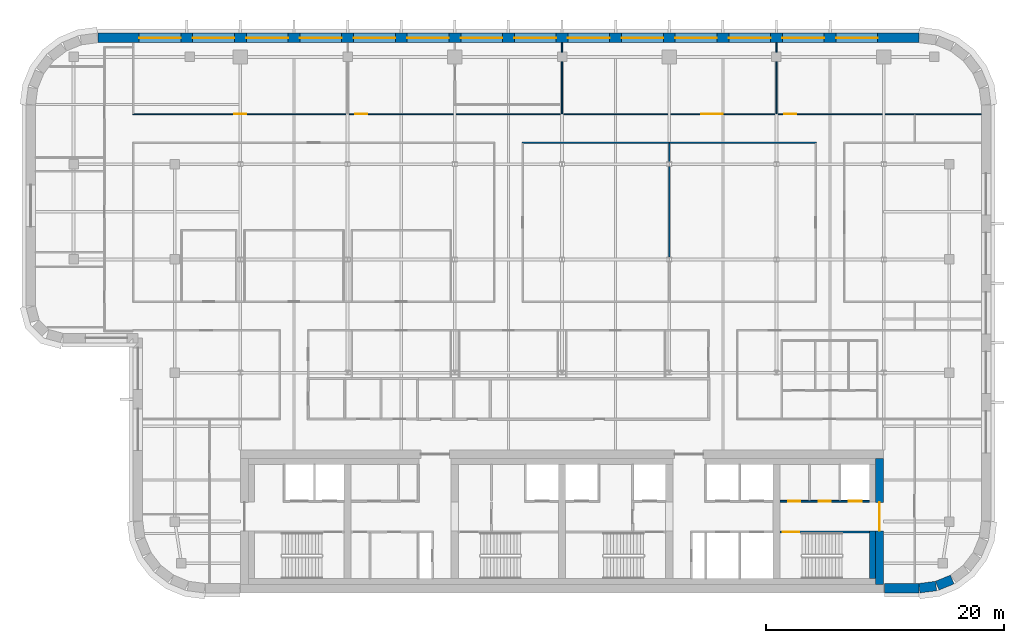
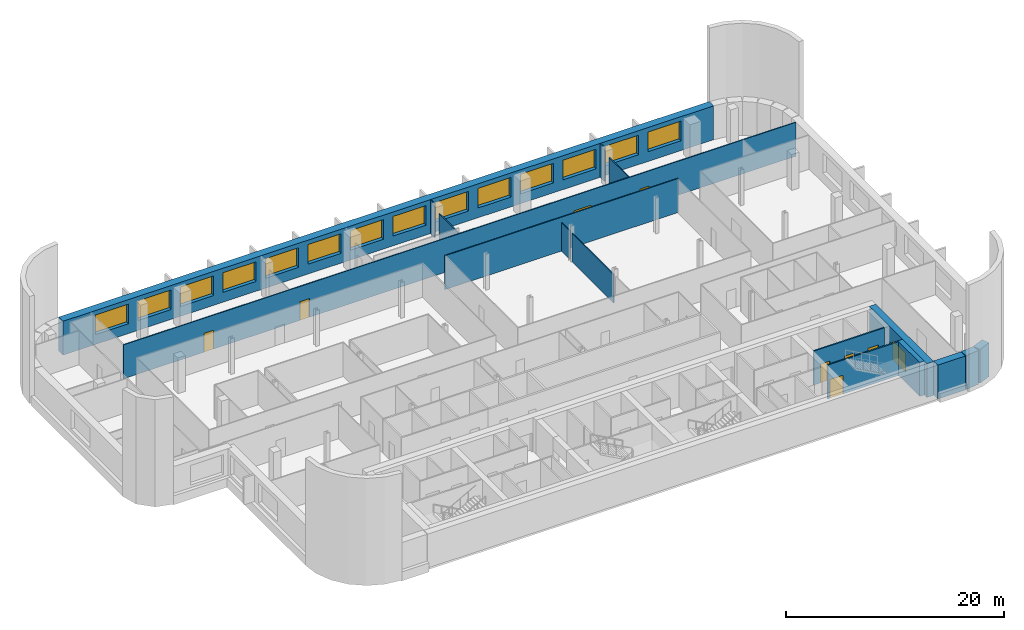
# One storey, part 11 of 17: 16 walls, 14 windows, 9 doors, 23 openings.
"""IFC4 building model written with IfcOpenShell, lengths in metres."""

from ifc_helpers import new_model, si_unit, direction, frame, frame_2d, origin, place, context, subcontext, project, spatial, rectangle, extrude, material, layer, layer_set, type_object, element, fill, save


model = new_model("IFC4")

# Units and contexts
model_context = context("Model", 3, precision=1e-05, world=origin(), true_north=direction((0.0, 1.0)))
body_context = subcontext(model_context, "Body", "Model", "MODEL_VIEW")
ifc_project = project(units=[si_unit("LENGTHUNIT", "METRE"), si_unit("AREAUNIT", "SQUARE_METRE"), si_unit("VOLUMEUNIT", "CUBIC_METRE"), si_unit("PLANEANGLEUNIT", "RADIAN"), si_unit("MASSUNIT", "GRAM", prefix="KILO")], contexts=[model_context])

# Site, building, storey
site_placement = place(None, origin())
site = spatial("IfcSite", under=ifc_project, at=site_placement, CompositionType="ELEMENT")
building_placement = place(site_placement, origin())
building = spatial("IfcBuilding", under=site, at=building_placement, Name="Zellij Exchange Tower", CompositionType="ELEMENT")
storey_placement = place(building_placement, frame((0.0, 0.0, 232.5)))
storey = spatial("IfcBuildingStorey", under=building, at=storey_placement, Name="L54", CompositionType="ELEMENT", Elevation=232.5)

# Wall
ifc_material_1 = material(Name="Concrete C30/37", Category="concrete")
ifc_layer_1 = layer(ifc_material_1, 0.5)
ifc_layer_set_1 = layer_set([ifc_layer_1], Name="Concrete C30/37")
wall_type_1 = type_object("IfcWallType", Name="CORE-LW 500 C30/37", PredefinedType="SHEAR", material=ifc_layer_set_1)
wall_1_placement = place(storey_placement, frame((26.050048828125, -12.800048828125, 0.0), z_axis=(0.0, 0.0, 1.0), x_axis=(0.0, 1.0, 0.0)))
element("IfcWall", 1, at=wall_1_placement, inside=storey, type_object=wall_type_1, Name="Core wall lining end e.0 L54", PredefinedType="SHEAR", context=body_context, shape_type="SweptSolid", body=[
    extrude(rectangle(XDim=4.0, YDim=0.5, at=frame_2d((2.0, 0.0))), origin(), (0.0, 0.0, 1.0), 3.800048828125),
])

# Wall, openings, doors
ifc_material_2 = material(Name="Gypsum shaft wall system")
ifc_layer_2 = layer(ifc_material_2, 0.14990234375)
ifc_layer_set_2 = layer_set([ifc_layer_2], Name="Gypsum shaft wall system")
wall_type_2 = type_object("IfcWallType", Name="CORE-PW 150 Lift shaft wall", PredefinedType="PARTITIONING", material=ifc_layer_set_2)
wall_2_placement = place(storey_placement, frame((18.300048828125, -6.300048828125, 0.0), z_axis=(0.0, 0.0, 1.0), x_axis=(1.0, 0.0, 0.0)))
wall_2 = element("IfcWall", 2, at=wall_2_placement, inside=storey, type_object=wall_type_2, Name="Lift shaft wall L54", PredefinedType="PARTITIONING", context=body_context, shape_type="SweptSolid", body=[
    extrude(rectangle(XDim=7.5, YDim=0.14990234375, at=frame_2d((3.75, 0.0))), origin(), (0.0, 0.0, 1.0), 3.800048828125),
])
opening_1_placement = place(wall_2_placement, frame((0.699951171875, 0.0, 0.0)))
opening_1 = element("IfcOpeningElement", 3, at=opening_1_placement, cuts=wall_2, Name="Opening CA-29.25", PredefinedType="OPENING", context=body_context, shape_type="SweptSolid", body=[
    extrude(rectangle(XDim=1.0, YDim=2.10009765625, at=frame_2d((0.5, 1.050048828125))), frame((0.0, 0.0869140625, 0.0), z_axis=(0.0, -1.0, 0.0), x_axis=(1.0, 0.0, 0.0)), (0.0, 0.0, 1.0), 0.173828125),
])
opening_2_placement = place(wall_2_placement, frame((3.25, 0.0, 0.0)))
opening_2 = element("IfcOpeningElement", 4, at=opening_2_placement, cuts=wall_2, Name="Opening CA-29.26", PredefinedType="OPENING", context=body_context, shape_type="SweptSolid", body=[
    extrude(rectangle(XDim=1.0, YDim=2.10009765625, at=frame_2d((0.5, 1.050048828125))), frame((0.0, 0.0869140625, 0.0), z_axis=(0.0, -1.0, 0.0), x_axis=(1.0, 0.0, 0.0)), (0.0, 0.0, 1.0), 0.173828125),
])
opening_3_placement = place(wall_2_placement, frame((5.75, 0.0, 0.0)))
opening_3 = element("IfcOpeningElement", 5, at=opening_3_placement, cuts=wall_2, Name="Opening CA-29.27", PredefinedType="OPENING", context=body_context, shape_type="SweptSolid", body=[
    extrude(rectangle(XDim=1.10009765625, YDim=2.10009765625, at=frame_2d((0.550048828125, 1.050048828125))), frame((0.0, 0.0869140625, 0.0), z_axis=(0.0, -1.0, 0.0), x_axis=(1.0, 0.0, 0.0)), (0.0, 0.0, 1.0), 0.173828125),
])
ifc_material_3 = material(Name="Hollow metal fire door")
door_type_1 = type_object("IfcDoorType", Name="CORE-D CD Core room door 1000x2100 1 HR", OperationType="NOTDEFINED", PredefinedType="DOOR", material=ifc_material_3)
door_1_placement = place(opening_1_placement, origin())
door_1 = element("IfcDoor", 6, at=door_1_placement, inside=storey, type_object=door_type_1, Name="Core room door CA-29.25", OperationType="SINGLE_SWING_LEFT", OverallHeight=2.10009765625, OverallWidth=1.0, PredefinedType="DOOR", context=body_context, shape_type="SweptSolid", body=[
    extrude(rectangle(XDim=1.0, YDim=2.10009765625, at=frame_2d((0.5, 1.050048828125))), frame((0.0, 0.02490234375, 0.0), z_axis=(0.0, -1.0, 0.0), x_axis=(1.0, 0.0, 0.0)), (0.0, 0.0, 1.0), 0.050048828125),
])
fill(opening_1, door_1)
door_type_2 = type_object("IfcDoorType", Name="CORE-D CDA Core room door 1000x2100 1.5 HR", OperationType="NOTDEFINED", PredefinedType="DOOR", material=ifc_material_3)
door_2_placement = place(opening_2_placement, origin())
door_2 = element("IfcDoor", 7, at=door_2_placement, inside=storey, type_object=door_type_2, Name="Core room door CA-29.26", OperationType="SINGLE_SWING_LEFT", OverallHeight=2.10009765625, OverallWidth=1.0, PredefinedType="DOOR", context=body_context, shape_type="SweptSolid", body=[
    extrude(rectangle(XDim=1.0, YDim=2.10009765625, at=frame_2d((0.5, 1.050048828125))), frame((0.0, 0.02490234375, 0.0), z_axis=(0.0, -1.0, 0.0), x_axis=(1.0, 0.0, 0.0)), (0.0, 0.0, 1.0), 0.050048828125),
])
fill(opening_2, door_2)
door_type_3 = type_object("IfcDoorType", Name="CORE-D LD Lift landing door 1100x2100 1.5 HR", OperationType="NOTDEFINED", PredefinedType="DOOR", material=ifc_material_3)
door_3_placement = place(opening_3_placement, origin())
door_3 = element("IfcDoor", 8, at=door_3_placement, inside=storey, type_object=door_type_3, Name="Lift landing door CA-29.27", OperationType="SLIDING_TO_LEFT", OverallHeight=2.10009765625, OverallWidth=1.10009765625, PredefinedType="DOOR", context=body_context, shape_type="SweptSolid", body=[
    extrude(rectangle(XDim=1.10009765625, YDim=2.10009765625, at=frame_2d((0.550048828125, 1.050048828125))), frame((0.0, 0.02490234375, 0.0), z_axis=(0.0, -1.0, 0.0), x_axis=(1.0, 0.0, 0.0)), (0.0, 0.0, 1.0), 0.050048828125),
])
fill(opening_3, door_3)

# Wall, opening, door
ifc_material_4 = material(Name="Concrete C50/60", Category="concrete")
ifc_layer_3 = layer(ifc_material_4, 0.699951171875)
ifc_layer_set_3 = layer_set([ifc_layer_3], Name="Concrete C50/60")
wall_type_3 = type_object("IfcWallType", Name="CORE-SW 700 C50/60", PredefinedType="SHEAR", material=ifc_layer_set_3)
wall_3_placement = place(storey_placement, frame((26.64990234375, -13.300048828125, 0.0), z_axis=(0.0, 0.0, 1.0), x_axis=(0.0, 1.0, 0.0)))
wall_3 = element("IfcWall", 9, at=wall_3_placement, inside=storey, type_object=wall_type_3, Name="Core shear wall end e L54", PredefinedType="SHEAR", context=body_context, shape_type="SweptSolid", body=[
    extrude(rectangle(XDim=10.60009765625, YDim=0.699951171875, at=frame_2d((5.300048828125, 0.0))), origin(), (0.0, 0.0, 1.0), 3.800048828125),
])
opening_4_placement = place(wall_3_placement, frame((4.511962890625, 0.0, 0.0)))
opening_4 = element("IfcOpeningElement", 10, at=opening_4_placement, cuts=wall_3, Name="Opening CA-29.28", PredefinedType="OPENING", context=body_context, shape_type="SweptSolid", body=[
    extrude(rectangle(XDim=2.39990234375, YDim=2.10009765625, at=frame_2d((1.199951171875, 1.050048828125))), frame((0.0, 0.36181640625, 0.0), z_axis=(0.0, -1.0, 0.0), x_axis=(1.0, 0.0, 0.0)), (0.0, 0.0, 1.0), 0.723876953125),
])
door_type_4 = type_object("IfcDoorType", Name="CORE-D CE Core entrance door 2400x2100 20 MIN", OperationType="NOTDEFINED", PredefinedType="DOOR", material=ifc_material_3)
door_4_placement = place(opening_4_placement, origin())
door_4 = element("IfcDoor", 11, at=door_4_placement, inside=storey, type_object=door_type_4, Name="Core entrance door CA-29.28", OperationType="DOUBLE_DOOR_SINGLE_SWING", OverallHeight=2.10009765625, OverallWidth=2.39990234375, PredefinedType="DOOR", context=body_context, shape_type="SweptSolid", body=[
    extrude(rectangle(XDim=2.39990234375, YDim=2.10009765625, at=frame_2d((1.199951171875, 1.050048828125))), frame((0.0, 0.02490234375, 0.0), z_axis=(0.0, -1.0, 0.0), x_axis=(1.0, 0.0, 0.0)), (0.0, 0.0, 1.0), 0.050048828125),
])
fill(opening_4, door_4)

ifc_layer_4 = layer(ifc_material_4, 0.14990234375)
ifc_layer_set_4 = layer_set([ifc_layer_4], Name="Concrete C50/60")
wall_type_4 = type_object("IfcWallType", Name="CORE-SWS 150 C50/60", PredefinedType="SHEAR", material=ifc_layer_set_4)
wall_4_placement = place(storey_placement, frame((18.300048828125, -8.875, 0.0), z_axis=(0.0, 0.0, 1.0), x_axis=(1.0, 0.0, 0.0)))
wall_4 = element("IfcWall", 12, at=wall_4_placement, inside=storey, type_object=wall_type_4, Name="Stair enclosure wall L54", PredefinedType="SHEAR", context=body_context, shape_type="SweptSolid", body=[
    extrude(rectangle(XDim=7.5, YDim=0.14990234375, at=frame_2d((3.75, 0.0))), origin(), (0.0, 0.0, 1.0), 3.800048828125),
])
opening_5_placement = place(wall_4_placement, frame((0.22509765625, 0.0, 0.0)))
opening_5 = element("IfcOpeningElement", 13, at=opening_5_placement, cuts=wall_4, Name="Opening CA-29.24", PredefinedType="OPENING", context=body_context, shape_type="SweptSolid", body=[
    extrude(rectangle(XDim=1.39990234375, YDim=2.10009765625, at=frame_2d((0.699951171875, 1.050048828125))), frame((0.0, 0.0869140625, 0.0), z_axis=(0.0, -1.0, 0.0), x_axis=(1.0, 0.0, 0.0)), (0.0, 0.0, 1.0), 0.173828125),
])
door_type_5 = type_object("IfcDoorType", Name="CORE-D SD Stair door 1400x2100 1.5 HR", OperationType="NOTDEFINED", PredefinedType="DOOR", material=ifc_material_3)
door_5_placement = place(opening_5_placement, origin())
door_5 = element("IfcDoor", 14, at=door_5_placement, inside=storey, type_object=door_type_5, Name="Stair door CA-29.24", OperationType="DOUBLE_DOOR_SINGLE_SWING", OverallHeight=2.10009765625, OverallWidth=1.39990234375, PredefinedType="DOOR", context=body_context, shape_type="SweptSolid", body=[
    extrude(rectangle(XDim=1.39990234375, YDim=2.10009765625, at=frame_2d((0.699951171875, 1.050048828125))), frame((0.0, 0.02490234375, 0.0), z_axis=(0.0, -1.0, 0.0), x_axis=(1.0, 0.0, 0.0)), (0.0, 0.0, 1.0), 0.050048828125),
])
fill(opening_5, door_5)

# Walls
ifc_material_5 = material(Name="Precast concrete C40/50", Category="concrete")
ifc_layer_5 = layer(ifc_material_5, 0.800048828125)
ifc_layer_set_5 = layer_set([ifc_layer_5], Name="Precast concrete C40/50")
wall_type_5 = type_object("IfcWallType", Name="ENV-EW1 Precast stone-piered wall 800", PredefinedType="SOLIDWALL", material=ifc_layer_set_5)
wall_5_placement = place(storey_placement, frame((27.050048828125, -13.60009765625, 0.0), z_axis=(0.0, 0.0, 1.0), x_axis=(1.0, 0.0, 0.0)))
element("IfcWall", 15, at=wall_5_placement, inside=storey, type_object=wall_type_5, Name="fac.L54.00b", PredefinedType="SOLIDWALL", context=body_context, shape_type="SweptSolid", body=[
    extrude(rectangle(XDim=2.8974609375, YDim=0.800048828125, at=frame_2d((1.44873046875, 0.0))), origin(), (0.0, 0.0, 1.0), 3.800048828125),
])
wall_6_placement = place(storey_placement, frame((29.999755859375, -13.5966796875, 0.0), z_axis=(0.0, 0.0, 1.0), x_axis=(0.99144603414, 0.130517283865, 0.0)))
element("IfcWall", 16, at=wall_6_placement, inside=storey, type_object=wall_type_5, Name="fac.L54.01", PredefinedType="SOLIDWALL", context=body_context, shape_type="SweptSolid", body=[
    extrude(rectangle(XDim=1.408447265625, YDim=0.800048828125, at=frame_2d((0.7041015625, 0.0))), origin(), (0.0, 0.0, 1.0), 3.800048828125),
])
wall_7_placement = place(storey_placement, frame((31.497314453125, -13.3857421875, 0.0), z_axis=(0.0, 0.0, 1.0), x_axis=(0.923847774587, 0.38276009378, 0.0)))
element("IfcWall", 17, at=wall_7_placement, inside=storey, type_object=wall_type_5, Name="fac.L54.02", PredefinedType="SOLIDWALL", context=body_context, shape_type="SweptSolid", body=[
    extrude(rectangle(XDim=1.35546875, YDim=0.800048828125, at=frame_2d((0.677734375, 0.0))), origin(), (0.0, 0.0, 1.0), 3.800048828125),
])

# Wall, openings, windows
wall_8_placement = place(storey_placement, frame((29.947509765625, 32.60009765625, 0.0), z_axis=(0.0, 0.0, 1.0), x_axis=(-1.0, 0.0, 0.0)))
wall_8 = element("IfcWall", 18, at=wall_8_placement, inside=storey, type_object=wall_type_5, Name="fac.L54.14", PredefinedType="SOLIDWALL", context=body_context, shape_type="SweptSolid", body=[
    extrude(rectangle(XDim=68.89501953125, YDim=0.800048828125, at=frame_2d((34.447509765625, 0.0))), origin(), (0.0, 0.0, 1.0), 3.800048828125),
])
opening_6_placement = place(wall_8_placement, frame((3.447509765625, 0.0, 1.10009765625)))
opening_6 = element("IfcOpeningElement", 19, at=opening_6_placement, cuts=wall_8, Name="Opening FZ4.06", PredefinedType="OPENING", context=body_context, shape_type="SweptSolid", body=[
    extrude(rectangle(XDim=3.5, YDim=2.199951171875, at=frame_2d((1.75, 1.10009765625))), frame((0.0, 0.412109375, 0.0), z_axis=(0.0, -1.0, 0.0), x_axis=(1.0, 0.0, 0.0)), (0.0, 0.0, 1.0), 0.823974609375),
])
opening_7_placement = place(wall_8_placement, frame((7.947509765625, 0.0, 1.10009765625)))
opening_7 = element("IfcOpeningElement", 20, at=opening_7_placement, cuts=wall_8, Name="Opening FZ4.07", PredefinedType="OPENING", context=body_context, shape_type="SweptSolid", body=[
    extrude(rectangle(XDim=3.5, YDim=2.199951171875, at=frame_2d((1.75, 1.10009765625))), frame((0.0, 0.412109375, 0.0), z_axis=(0.0, -1.0, 0.0), x_axis=(1.0, 0.0, 0.0)), (0.0, 0.0, 1.0), 0.823974609375),
])
opening_8_placement = place(wall_8_placement, frame((12.447509765625, 0.0, 1.10009765625)))
opening_8 = element("IfcOpeningElement", 21, at=opening_8_placement, cuts=wall_8, Name="Opening FZ4.08", PredefinedType="OPENING", context=body_context, shape_type="SweptSolid", body=[
    extrude(rectangle(XDim=3.5, YDim=2.199951171875, at=frame_2d((1.75, 1.10009765625))), frame((0.0, 0.412109375, 0.0), z_axis=(0.0, -1.0, 0.0), x_axis=(1.0, 0.0, 0.0)), (0.0, 0.0, 1.0), 0.823974609375),
])
opening_9_placement = place(wall_8_placement, frame((16.947509765625, 0.0, 1.10009765625)))
opening_9 = element("IfcOpeningElement", 22, at=opening_9_placement, cuts=wall_8, Name="Opening FZ4.09", PredefinedType="OPENING", context=body_context, shape_type="SweptSolid", body=[
    extrude(rectangle(XDim=3.5, YDim=2.199951171875, at=frame_2d((1.75, 1.10009765625))), frame((0.0, 0.412109375, 0.0), z_axis=(0.0, -1.0, 0.0), x_axis=(1.0, 0.0, 0.0)), (0.0, 0.0, 1.0), 0.823974609375),
])
opening_10_placement = place(wall_8_placement, frame((21.447509765625, 0.0, 1.10009765625)))
opening_10 = element("IfcOpeningElement", 23, at=opening_10_placement, cuts=wall_8, Name="Opening FZ4.10", PredefinedType="OPENING", context=body_context, shape_type="SweptSolid", body=[
    extrude(rectangle(XDim=3.5, YDim=2.199951171875, at=frame_2d((1.75, 1.10009765625))), frame((0.0, 0.412109375, 0.0), z_axis=(0.0, -1.0, 0.0), x_axis=(1.0, 0.0, 0.0)), (0.0, 0.0, 1.0), 0.823974609375),
])
opening_11_placement = place(wall_8_placement, frame((25.947509765625, 0.0, 1.10009765625)))
opening_11 = element("IfcOpeningElement", 24, at=opening_11_placement, cuts=wall_8, Name="Opening FZ4.11", PredefinedType="OPENING", context=body_context, shape_type="SweptSolid", body=[
    extrude(rectangle(XDim=3.5, YDim=2.199951171875, at=frame_2d((1.75, 1.10009765625))), frame((0.0, 0.412109375, 0.0), z_axis=(0.0, -1.0, 0.0), x_axis=(1.0, 0.0, 0.0)), (0.0, 0.0, 1.0), 0.823974609375),
])
opening_12_placement = place(wall_8_placement, frame((30.447509765625, 0.0, 1.10009765625)))
opening_12 = element("IfcOpeningElement", 25, at=opening_12_placement, cuts=wall_8, Name="Opening FZ4.12", PredefinedType="OPENING", context=body_context, shape_type="SweptSolid", body=[
    extrude(rectangle(XDim=3.5, YDim=2.199951171875, at=frame_2d((1.75, 1.10009765625))), frame((0.0, 0.412109375, 0.0), z_axis=(0.0, -1.0, 0.0), x_axis=(1.0, 0.0, 0.0)), (0.0, 0.0, 1.0), 0.823974609375),
])
opening_13_placement = place(wall_8_placement, frame((34.947509765625, 0.0, 1.10009765625)))
opening_13 = element("IfcOpeningElement", 26, at=opening_13_placement, cuts=wall_8, Name="Opening FZ4.13", PredefinedType="OPENING", context=body_context, shape_type="SweptSolid", body=[
    extrude(rectangle(XDim=3.5, YDim=2.199951171875, at=frame_2d((1.75, 1.10009765625))), frame((0.0, 0.412109375, 0.0), z_axis=(0.0, -1.0, 0.0), x_axis=(1.0, 0.0, 0.0)), (0.0, 0.0, 1.0), 0.823974609375),
])
opening_14_placement = place(wall_8_placement, frame((39.447509765625, 0.0, 1.10009765625)))
opening_14 = element("IfcOpeningElement", 27, at=opening_14_placement, cuts=wall_8, Name="Opening FZ4.14", PredefinedType="OPENING", context=body_context, shape_type="SweptSolid", body=[
    extrude(rectangle(XDim=3.5, YDim=2.199951171875, at=frame_2d((1.75, 1.10009765625))), frame((0.0, 0.412109375, 0.0), z_axis=(0.0, -1.0, 0.0), x_axis=(1.0, 0.0, 0.0)), (0.0, 0.0, 1.0), 0.823974609375),
])
opening_15_placement = place(wall_8_placement, frame((43.947509765625, 0.0, 1.10009765625)))
opening_15 = element("IfcOpeningElement", 28, at=opening_15_placement, cuts=wall_8, Name="Opening FZ4.15", PredefinedType="OPENING", context=body_context, shape_type="SweptSolid", body=[
    extrude(rectangle(XDim=3.5, YDim=2.199951171875, at=frame_2d((1.75, 1.10009765625))), frame((0.0, 0.412109375, 0.0), z_axis=(0.0, -1.0, 0.0), x_axis=(1.0, 0.0, 0.0)), (0.0, 0.0, 1.0), 0.823974609375),
])
opening_16_placement = place(wall_8_placement, frame((48.447509765625, 0.0, 1.10009765625)))
opening_16 = element("IfcOpeningElement", 29, at=opening_16_placement, cuts=wall_8, Name="Opening FZ4.16", PredefinedType="OPENING", context=body_context, shape_type="SweptSolid", body=[
    extrude(rectangle(XDim=3.5, YDim=2.199951171875, at=frame_2d((1.75, 1.10009765625))), frame((0.0, 0.412109375, 0.0), z_axis=(0.0, -1.0, 0.0), x_axis=(1.0, 0.0, 0.0)), (0.0, 0.0, 1.0), 0.823974609375),
])
opening_17_placement = place(wall_8_placement, frame((52.947509765625, 0.0, 1.10009765625)))
opening_17 = element("IfcOpeningElement", 30, at=opening_17_placement, cuts=wall_8, Name="Opening FZ4.17", PredefinedType="OPENING", context=body_context, shape_type="SweptSolid", body=[
    extrude(rectangle(XDim=3.5, YDim=2.199951171875, at=frame_2d((1.75, 1.10009765625))), frame((0.0, 0.412109375, 0.0), z_axis=(0.0, -1.0, 0.0), x_axis=(1.0, 0.0, 0.0)), (0.0, 0.0, 1.0), 0.823974609375),
])
opening_18_placement = place(wall_8_placement, frame((57.447509765625, 0.0, 1.10009765625)))
opening_18 = element("IfcOpeningElement", 31, at=opening_18_placement, cuts=wall_8, Name="Opening FZ4.18", PredefinedType="OPENING", context=body_context, shape_type="SweptSolid", body=[
    extrude(rectangle(XDim=3.5, YDim=2.199951171875, at=frame_2d((1.75, 1.10009765625))), frame((0.0, 0.412109375, 0.0), z_axis=(0.0, -1.0, 0.0), x_axis=(1.0, 0.0, 0.0)), (0.0, 0.0, 1.0), 0.823974609375),
])
opening_19_placement = place(wall_8_placement, frame((61.947509765625, 0.0, 1.10009765625)))
opening_19 = element("IfcOpeningElement", 32, at=opening_19_placement, cuts=wall_8, Name="Opening FZ4.19", PredefinedType="OPENING", context=body_context, shape_type="SweptSolid", body=[
    extrude(rectangle(XDim=3.5, YDim=2.199951171875, at=frame_2d((1.75, 1.10009765625))), frame((0.0, 0.412109375, 0.0), z_axis=(0.0, -1.0, 0.0), x_axis=(1.0, 0.0, 0.0)), (0.0, 0.0, 1.0), 0.823974609375),
])
ifc_material_6 = material(Name="Aluminium frame with insulating glass", Category="aluminium")
window_type = type_object("IfcWindowType", Name="ENV-W7 Window 3500x2200", PartitioningType="SINGLE_PANEL", PredefinedType="WINDOW", material=ifc_material_6)
window_1_placement = place(opening_6_placement, origin())
window_1 = element("IfcWindow", 33, at=window_1_placement, inside=storey, type_object=window_type, Name="Window FZ4.06", OverallHeight=2.199951171875, OverallWidth=3.5, PartitioningType="SINGLE_PANEL", PredefinedType="WINDOW", context=body_context, shape_type="SweptSolid", body=[
    extrude(rectangle(XDim=3.5, YDim=2.199951171875, at=frame_2d((1.75, 1.10009765625))), frame((0.0, 0.030029296875, 0.0), z_axis=(0.0, -1.0, 0.0), x_axis=(1.0, 0.0, 0.0)), (0.0, 0.0, 1.0), 0.06005859375),
])
fill(opening_6, window_1)
window_2_placement = place(opening_7_placement, origin())
window_2 = element("IfcWindow", 34, at=window_2_placement, inside=storey, type_object=window_type, Name="Window FZ4.07", OverallHeight=2.199951171875, OverallWidth=3.5, PartitioningType="SINGLE_PANEL", PredefinedType="WINDOW", context=body_context, shape_type="SweptSolid", body=[
    extrude(rectangle(XDim=3.5, YDim=2.199951171875, at=frame_2d((1.75, 1.10009765625))), frame((0.0, 0.030029296875, 0.0), z_axis=(0.0, -1.0, 0.0), x_axis=(1.0, 0.0, 0.0)), (0.0, 0.0, 1.0), 0.06005859375),
])
fill(opening_7, window_2)
window_3_placement = place(opening_8_placement, origin())
window_3 = element("IfcWindow", 35, at=window_3_placement, inside=storey, type_object=window_type, Name="Window FZ4.08", OverallHeight=2.199951171875, OverallWidth=3.5, PartitioningType="SINGLE_PANEL", PredefinedType="WINDOW", context=body_context, shape_type="SweptSolid", body=[
    extrude(rectangle(XDim=3.5, YDim=2.199951171875, at=frame_2d((1.75, 1.10009765625))), frame((0.0, 0.030029296875, 0.0), z_axis=(0.0, -1.0, 0.0), x_axis=(1.0, 0.0, 0.0)), (0.0, 0.0, 1.0), 0.06005859375),
])
fill(opening_8, window_3)
window_4_placement = place(opening_9_placement, origin())
window_4 = element("IfcWindow", 36, at=window_4_placement, inside=storey, type_object=window_type, Name="Window FZ4.09", OverallHeight=2.199951171875, OverallWidth=3.5, PartitioningType="SINGLE_PANEL", PredefinedType="WINDOW", context=body_context, shape_type="SweptSolid", body=[
    extrude(rectangle(XDim=3.5, YDim=2.199951171875, at=frame_2d((1.75, 1.10009765625))), frame((0.0, 0.030029296875, 0.0), z_axis=(0.0, -1.0, 0.0), x_axis=(1.0, 0.0, 0.0)), (0.0, 0.0, 1.0), 0.06005859375),
])
fill(opening_9, window_4)
window_5_placement = place(opening_10_placement, origin())
window_5 = element("IfcWindow", 37, at=window_5_placement, inside=storey, type_object=window_type, Name="Window FZ4.10", OverallHeight=2.199951171875, OverallWidth=3.5, PartitioningType="SINGLE_PANEL", PredefinedType="WINDOW", context=body_context, shape_type="SweptSolid", body=[
    extrude(rectangle(XDim=3.5, YDim=2.199951171875, at=frame_2d((1.75, 1.10009765625))), frame((0.0, 0.030029296875, 0.0), z_axis=(0.0, -1.0, 0.0), x_axis=(1.0, 0.0, 0.0)), (0.0, 0.0, 1.0), 0.06005859375),
])
fill(opening_10, window_5)
window_6_placement = place(opening_11_placement, origin())
window_6 = element("IfcWindow", 38, at=window_6_placement, inside=storey, type_object=window_type, Name="Window FZ4.11", OverallHeight=2.199951171875, OverallWidth=3.5, PartitioningType="SINGLE_PANEL", PredefinedType="WINDOW", context=body_context, shape_type="SweptSolid", body=[
    extrude(rectangle(XDim=3.5, YDim=2.199951171875, at=frame_2d((1.75, 1.10009765625))), frame((0.0, 0.030029296875, 0.0), z_axis=(0.0, -1.0, 0.0), x_axis=(1.0, 0.0, 0.0)), (0.0, 0.0, 1.0), 0.06005859375),
])
fill(opening_11, window_6)
window_7_placement = place(opening_12_placement, origin())
window_7 = element("IfcWindow", 39, at=window_7_placement, inside=storey, type_object=window_type, Name="Window FZ4.12", OverallHeight=2.199951171875, OverallWidth=3.5, PartitioningType="SINGLE_PANEL", PredefinedType="WINDOW", context=body_context, shape_type="SweptSolid", body=[
    extrude(rectangle(XDim=3.5, YDim=2.199951171875, at=frame_2d((1.75, 1.10009765625))), frame((0.0, 0.030029296875, 0.0), z_axis=(0.0, -1.0, 0.0), x_axis=(1.0, 0.0, 0.0)), (0.0, 0.0, 1.0), 0.06005859375),
])
fill(opening_12, window_7)
window_8_placement = place(opening_13_placement, origin())
window_8 = element("IfcWindow", 40, at=window_8_placement, inside=storey, type_object=window_type, Name="Window FZ4.13", OverallHeight=2.199951171875, OverallWidth=3.5, PartitioningType="SINGLE_PANEL", PredefinedType="WINDOW", context=body_context, shape_type="SweptSolid", body=[
    extrude(rectangle(XDim=3.5, YDim=2.199951171875, at=frame_2d((1.75, 1.10009765625))), frame((0.0, 0.030029296875, 0.0), z_axis=(0.0, -1.0, 0.0), x_axis=(1.0, 0.0, 0.0)), (0.0, 0.0, 1.0), 0.06005859375),
])
fill(opening_13, window_8)
window_9_placement = place(opening_14_placement, origin())
window_9 = element("IfcWindow", 41, at=window_9_placement, inside=storey, type_object=window_type, Name="Window FZ4.14", OverallHeight=2.199951171875, OverallWidth=3.5, PartitioningType="SINGLE_PANEL", PredefinedType="WINDOW", context=body_context, shape_type="SweptSolid", body=[
    extrude(rectangle(XDim=3.5, YDim=2.199951171875, at=frame_2d((1.75, 1.10009765625))), frame((0.0, 0.030029296875, 0.0), z_axis=(0.0, -1.0, 0.0), x_axis=(1.0, 0.0, 0.0)), (0.0, 0.0, 1.0), 0.06005859375),
])
fill(opening_14, window_9)
window_10_placement = place(opening_15_placement, origin())
window_10 = element("IfcWindow", 42, at=window_10_placement, inside=storey, type_object=window_type, Name="Window FZ4.15", OverallHeight=2.199951171875, OverallWidth=3.5, PartitioningType="SINGLE_PANEL", PredefinedType="WINDOW", context=body_context, shape_type="SweptSolid", body=[
    extrude(rectangle(XDim=3.5, YDim=2.199951171875, at=frame_2d((1.75, 1.10009765625))), frame((0.0, 0.030029296875, 0.0), z_axis=(0.0, -1.0, 0.0), x_axis=(1.0, 0.0, 0.0)), (0.0, 0.0, 1.0), 0.06005859375),
])
fill(opening_15, window_10)
window_11_placement = place(opening_16_placement, origin())
window_11 = element("IfcWindow", 43, at=window_11_placement, inside=storey, type_object=window_type, Name="Window FZ4.16", OverallHeight=2.199951171875, OverallWidth=3.5, PartitioningType="SINGLE_PANEL", PredefinedType="WINDOW", context=body_context, shape_type="SweptSolid", body=[
    extrude(rectangle(XDim=3.5, YDim=2.199951171875, at=frame_2d((1.75, 1.10009765625))), frame((0.0, 0.030029296875, 0.0), z_axis=(0.0, -1.0, 0.0), x_axis=(1.0, 0.0, 0.0)), (0.0, 0.0, 1.0), 0.06005859375),
])
fill(opening_16, window_11)
window_12_placement = place(opening_17_placement, origin())
window_12 = element("IfcWindow", 44, at=window_12_placement, inside=storey, type_object=window_type, Name="Window FZ4.17", OverallHeight=2.199951171875, OverallWidth=3.5, PartitioningType="SINGLE_PANEL", PredefinedType="WINDOW", context=body_context, shape_type="SweptSolid", body=[
    extrude(rectangle(XDim=3.5, YDim=2.199951171875, at=frame_2d((1.75, 1.10009765625))), frame((0.0, 0.030029296875, 0.0), z_axis=(0.0, -1.0, 0.0), x_axis=(1.0, 0.0, 0.0)), (0.0, 0.0, 1.0), 0.06005859375),
])
fill(opening_17, window_12)
window_13_placement = place(opening_18_placement, origin())
window_13 = element("IfcWindow", 45, at=window_13_placement, inside=storey, type_object=window_type, Name="Window FZ4.18", OverallHeight=2.199951171875, OverallWidth=3.5, PartitioningType="SINGLE_PANEL", PredefinedType="WINDOW", context=body_context, shape_type="SweptSolid", body=[
    extrude(rectangle(XDim=3.5, YDim=2.199951171875, at=frame_2d((1.75, 1.10009765625))), frame((0.0, 0.030029296875, 0.0), z_axis=(0.0, -1.0, 0.0), x_axis=(1.0, 0.0, 0.0)), (0.0, 0.0, 1.0), 0.06005859375),
])
fill(opening_18, window_13)
window_14_placement = place(opening_19_placement, origin())
window_14 = element("IfcWindow", 46, at=window_14_placement, inside=storey, type_object=window_type, Name="Window FZ4.19", OverallHeight=2.199951171875, OverallWidth=3.5, PartitioningType="SINGLE_PANEL", PredefinedType="WINDOW", context=body_context, shape_type="SweptSolid", body=[
    extrude(rectangle(XDim=3.5, YDim=2.199951171875, at=frame_2d((1.75, 1.10009765625))), frame((0.0, 0.030029296875, 0.0), z_axis=(0.0, -1.0, 0.0), x_axis=(1.0, 0.0, 0.0)), (0.0, 0.0, 1.0), 0.06005859375),
])
fill(opening_19, window_14)

# Walls
ifc_material_7 = material(Name="Gypsum board partition on steel studs", Category="steel")
ifc_layer_6 = layer(ifc_material_7, 0.10009765625)
ifc_layer_set_6 = layer_set([ifc_layer_6], Name="Gypsum board partition on steel studs")
wall_type_6 = type_object("IfcWallType", Name="FIT-PARTITION-100", PredefinedType="PARTITIONING", material=ifc_layer_set_6)
wall_9_placement = place(storey_placement, frame((9.0, 14.193115234375, 0.0), z_axis=(0.0, 0.0, 1.0), x_axis=(0.0, 1.0, 0.0)))
element("IfcWall", 47, at=wall_9_placement, inside=storey, type_object=wall_type_6, Name="FIT-PARTITION-100 052", PredefinedType="PARTITIONING", context=body_context, shape_type="SweptSolid", body=[
    extrude(rectangle(XDim=7.61376953125, YDim=0.10009765625, at=frame_2d((3.806884765625, 0.0))), origin(), (0.0, 0.0, 1.0), 3.19287109375),
])
wall_10_placement = place(storey_placement, frame((9.0, 22.193115234375, 0.0), z_axis=(0.0, 0.0, 1.0), x_axis=(0.0, 1.0, 0.0)))
element("IfcWall", 48, at=wall_10_placement, inside=storey, type_object=wall_type_6, Name="FIT-PARTITION-100 053", PredefinedType="PARTITIONING", context=body_context, shape_type="SweptSolid", body=[
    extrude(rectangle(XDim=1.556884765625, YDim=0.10009765625, at=frame_2d((0.7783203125, 0.0))), origin(), (0.0, 0.0, 1.0), 3.19287109375),
])
wall_11_placement = place(storey_placement, frame((-3.35009765625, 23.800048828125, 0.0), z_axis=(0.0, 0.0, 1.0), x_axis=(1.0, 0.0, 0.0)))
element("IfcWall", 49, at=wall_11_placement, inside=storey, type_object=wall_type_6, Name="FIT-PARTITION-100 065", PredefinedType="PARTITIONING", context=body_context, shape_type="SweptSolid", body=[
    extrude(rectangle(XDim=24.7001953125, YDim=0.10009765625, at=frame_2d((12.35009765625, 0.0))), origin(), (0.0, 0.0, 1.0), 3.800048828125),
])

# Wall, openings, doors
wall_12_placement = place(storey_placement, frame((-36.050048828125, 26.199951171875, 0.0), z_axis=(0.0, 0.0, 1.0), x_axis=(1.0, 0.0, 0.0)))
wall_12 = element("IfcWall", 50, at=wall_12_placement, inside=storey, type_object=wall_type_6, Name="FIT-PARTITION-100 068", PredefinedType="PARTITIONING", context=body_context, shape_type="SweptSolid", body=[
    extrude(rectangle(XDim=71.25, YDim=0.10009765625, at=frame_2d((35.625, 0.0))), origin(), (0.0, 0.0, 1.0), 3.800048828125),
])
opening_20_placement = place(wall_12_placement, frame((8.550048828125, 0.0, 0.0)))
opening_20 = element("IfcOpeningElement", 51, at=opening_20_placement, cuts=wall_12, Name="Opening O4B.29", PredefinedType="OPENING", context=body_context, shape_type="SweptSolid", body=[
    extrude(rectangle(XDim=1.0, YDim=2.10009765625, at=frame_2d((0.5, 1.050048828125))), frame((0.0, 0.06201171875, 0.0), z_axis=(0.0, -1.0, 0.0), x_axis=(1.0, 0.0, 0.0)), (0.0, 0.0, 1.0), 0.1240234375),
])
opening_21_placement = place(wall_12_placement, frame((18.699951171875, 0.0, 0.0)))
opening_21 = element("IfcOpeningElement", 52, at=opening_21_placement, cuts=wall_12, Name="Opening O4B.30", PredefinedType="OPENING", context=body_context, shape_type="SweptSolid", body=[
    extrude(rectangle(XDim=1.0, YDim=2.10009765625, at=frame_2d((0.5, 1.050048828125))), frame((0.0, 0.06201171875, 0.0), z_axis=(0.0, -1.0, 0.0), x_axis=(1.0, 0.0, 0.0)), (0.0, 0.0, 1.0), 0.1240234375),
])
opening_22_placement = place(wall_12_placement, frame((47.75, 0.0, 0.0)))
opening_22 = element("IfcOpeningElement", 53, at=opening_22_placement, cuts=wall_12, Name="Opening O4B.31", PredefinedType="OPENING", context=body_context, shape_type="SweptSolid", body=[
    extrude(rectangle(XDim=1.800048828125, YDim=2.10009765625, at=frame_2d((0.89990234375, 1.050048828125))), frame((0.0, 0.06201171875, 0.0), z_axis=(0.0, -1.0, 0.0), x_axis=(1.0, 0.0, 0.0)), (0.0, 0.0, 1.0), 0.1240234375),
])
opening_23_placement = place(wall_12_placement, frame((54.699951171875, 0.0, 0.0)))
opening_23 = element("IfcOpeningElement", 54, at=opening_23_placement, cuts=wall_12, Name="Opening O4B.32", PredefinedType="OPENING", context=body_context, shape_type="SweptSolid", body=[
    extrude(rectangle(XDim=1.0, YDim=2.10009765625, at=frame_2d((0.5, 1.050048828125))), frame((0.0, 0.06201171875, 0.0), z_axis=(0.0, -1.0, 0.0), x_axis=(1.0, 0.0, 0.0)), (0.0, 0.0, 1.0), 0.1240234375),
])
ifc_material_8 = material(Name="Timber door set", Category="wood")
door_type_6 = type_object("IfcDoorType", Name="FIT-D2-WIDE-1000X2100", OperationType="SINGLE_SWING_LEFT", PredefinedType="DOOR", material=ifc_material_8)
door_6_placement = place(opening_20_placement, origin())
door_6 = element("IfcDoor", 55, at=door_6_placement, inside=storey, type_object=door_type_6, Name="Door O4B.29", OperationType="SINGLE_SWING_RIGHT", OverallHeight=2.10009765625, OverallWidth=1.0, PredefinedType="DOOR", context=body_context, shape_type="SweptSolid", body=[
    extrude(rectangle(XDim=1.0, YDim=2.10009765625, at=frame_2d((0.5, 1.050048828125))), frame((0.0, 0.02490234375, 0.0), z_axis=(0.0, -1.0, 0.0), x_axis=(1.0, 0.0, 0.0)), (0.0, 0.0, 1.0), 0.050048828125),
])
fill(opening_20, door_6)
door_7_placement = place(opening_21_placement, origin())
door_7 = element("IfcDoor", 56, at=door_7_placement, inside=storey, type_object=door_type_6, Name="Door O4B.30", OperationType="SINGLE_SWING_RIGHT", OverallHeight=2.10009765625, OverallWidth=1.0, PredefinedType="DOOR", context=body_context, shape_type="SweptSolid", body=[
    extrude(rectangle(XDim=1.0, YDim=2.10009765625, at=frame_2d((0.5, 1.050048828125))), frame((0.0, 0.02490234375, 0.0), z_axis=(0.0, -1.0, 0.0), x_axis=(1.0, 0.0, 0.0)), (0.0, 0.0, 1.0), 0.050048828125),
])
fill(opening_21, door_7)
door_8_placement = place(opening_23_placement, origin())
door_8 = element("IfcDoor", 57, at=door_8_placement, inside=storey, type_object=door_type_6, Name="Door O4B.32", OperationType="SINGLE_SWING_RIGHT", OverallHeight=2.10009765625, OverallWidth=1.0, PredefinedType="DOOR", context=body_context, shape_type="SweptSolid", body=[
    extrude(rectangle(XDim=1.0, YDim=2.10009765625, at=frame_2d((0.5, 1.050048828125))), frame((0.0, 0.02490234375, 0.0), z_axis=(0.0, -1.0, 0.0), x_axis=(1.0, 0.0, 0.0)), (0.0, 0.0, 1.0), 0.050048828125),
])
fill(opening_23, door_8)
door_type_7 = type_object("IfcDoorType", Name="FIT-D3-DOUBLE-1800X2100", OperationType="DOUBLE_DOOR_SINGLE_SWING", PredefinedType="DOOR", material=ifc_material_8)
door_9_placement = place(opening_22_placement, origin())
door_9 = element("IfcDoor", 58, at=door_9_placement, inside=storey, type_object=door_type_7, Name="Door O4B.31", OperationType="DOUBLE_DOOR_SINGLE_SWING", OverallHeight=2.10009765625, OverallWidth=1.800048828125, PredefinedType="DOOR", context=body_context, shape_type="SweptSolid", body=[
    extrude(rectangle(XDim=1.800048828125, YDim=2.10009765625, at=frame_2d((0.89990234375, 1.050048828125))), frame((0.0, 0.02490234375, 0.0), z_axis=(0.0, -1.0, 0.0), x_axis=(1.0, 0.0, 0.0)), (0.0, 0.0, 1.0), 0.050048828125),
])
fill(opening_22, door_9)

# Walls
wall_13_placement = place(storey_placement, frame((0.0, 26.25, 0.0), z_axis=(0.0, 0.0, 1.0), x_axis=(0.0, 1.0, 0.0)))
element("IfcWall", 59, at=wall_13_placement, inside=storey, type_object=wall_type_6, Name="FIT-PARTITION-100 072", PredefinedType="PARTITIONING", context=body_context, shape_type="SweptSolid", body=[
    extrude(rectangle(XDim=4.35009765625, YDim=0.10009765625, at=frame_2d((2.175048828125, 0.0))), origin(), (0.0, 0.0, 1.0), 3.19287109375),
])
wall_14_placement = place(storey_placement, frame((0.0, 31.39990234375, 0.0), z_axis=(0.0, 0.0, 1.0), x_axis=(0.0, 1.0, 0.0)))
element("IfcWall", 60, at=wall_14_placement, inside=storey, type_object=wall_type_6, Name="FIT-PARTITION-100 073", PredefinedType="PARTITIONING", context=body_context, shape_type="SweptSolid", body=[
    extrude(rectangle(XDim=0.800048828125, YDim=0.10009765625, at=frame_2d((0.39990234375, 0.0))), origin(), (0.0, 0.0, 1.0), 3.800048828125),
])
wall_15_placement = place(storey_placement, frame((18.0, 26.25, 0.0), z_axis=(0.0, 0.0, 1.0), x_axis=(0.0, 1.0, 0.0)))
element("IfcWall", 61, at=wall_15_placement, inside=storey, type_object=wall_type_6, Name="FIT-PARTITION-100 074", PredefinedType="PARTITIONING", context=body_context, shape_type="SweptSolid", body=[
    extrude(rectangle(XDim=4.35009765625, YDim=0.10009765625, at=frame_2d((2.175048828125, 0.0))), origin(), (0.0, 0.0, 1.0), 3.19287109375),
])
wall_16_placement = place(storey_placement, frame((18.0, 31.39990234375, 0.0), z_axis=(0.0, 0.0, 1.0), x_axis=(0.0, 1.0, 0.0)))
element("IfcWall", 62, at=wall_16_placement, inside=storey, type_object=wall_type_6, Name="FIT-PARTITION-100 075", PredefinedType="PARTITIONING", context=body_context, shape_type="SweptSolid", body=[
    extrude(rectangle(XDim=0.800048828125, YDim=0.10009765625, at=frame_2d((0.39990234375, 0.0))), origin(), (0.0, 0.0, 1.0), 3.800048828125),
])

save(model, "model.ifc")
